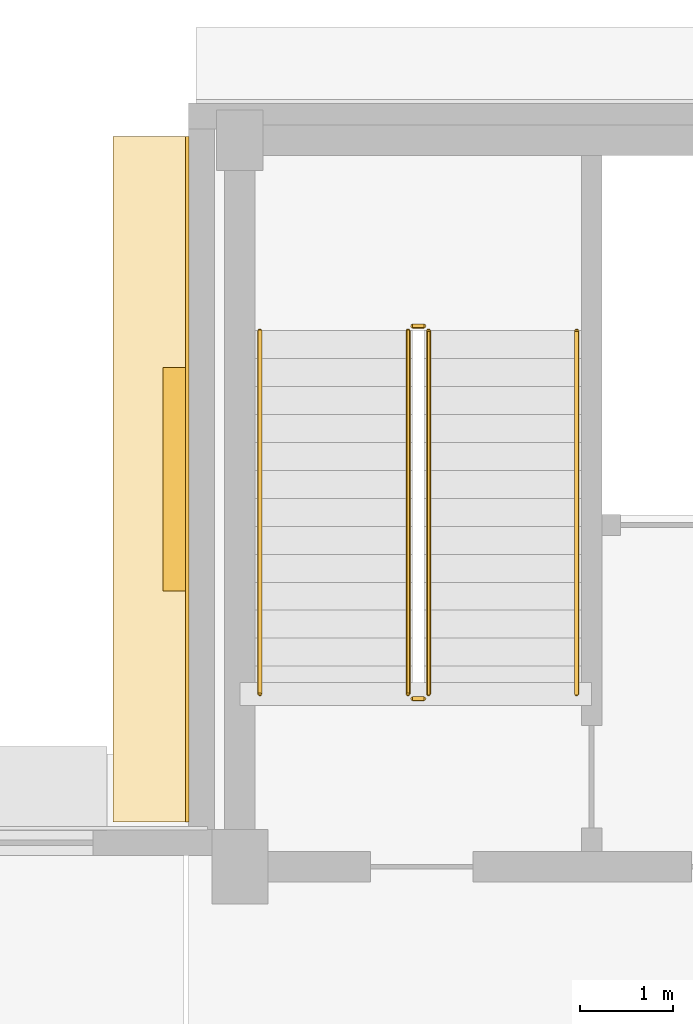
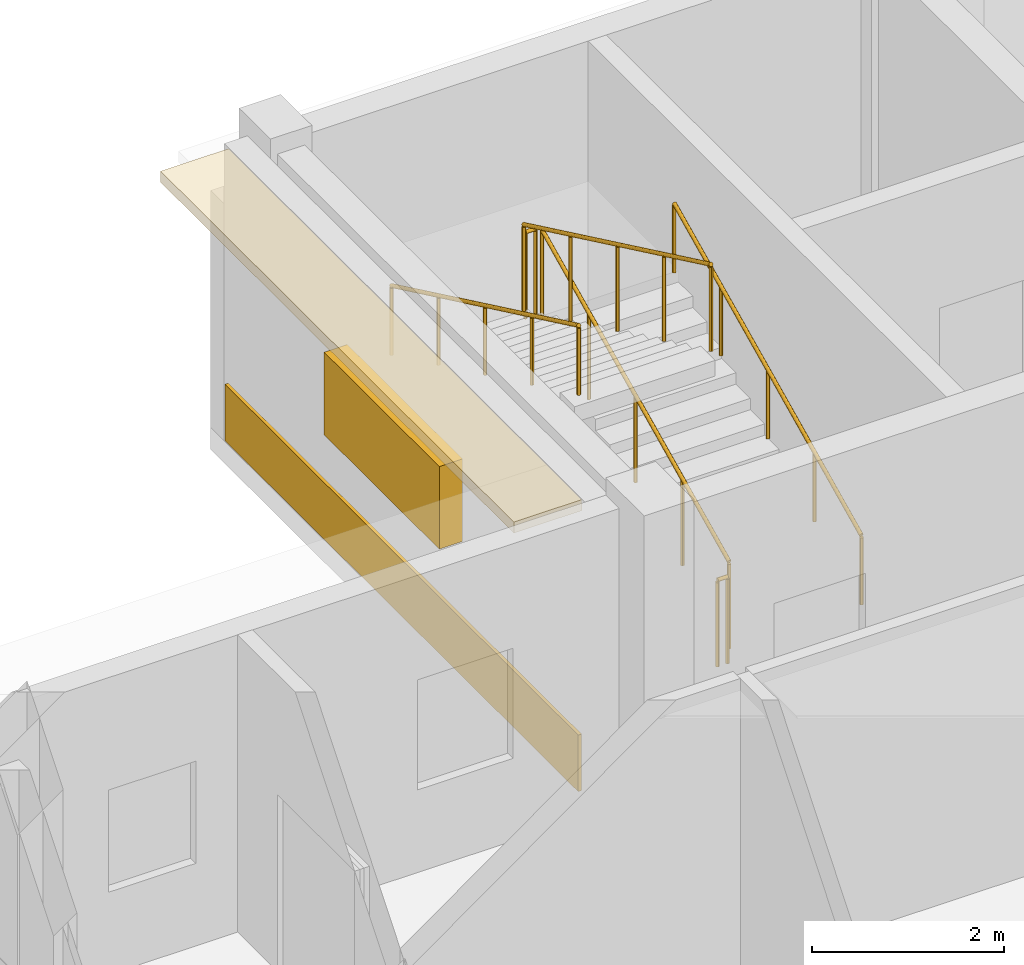
# One storey, part 102 of 105: 6 railings, 2 coverings, 1 shading device.
"""IFC4 building model written with IfcOpenShell, lengths in metres."""

from ifc_helpers import new_model, si_unit, direction, frame, origin, origin_2d, place, context, subcontext, project, spatial, rectangle, circle, extrude, material, layer, layer_set, type_object, element, save


model = new_model("IFC4")

# Units and contexts
model_context = context("Model", 3, precision=1e-05, world=origin(), true_north=direction((0.0, 1.0)))
body_context = subcontext(model_context, "Body", "Model", "MODEL_VIEW")
ifc_project = project(units=[si_unit("LENGTHUNIT", "METRE"), si_unit("AREAUNIT", "SQUARE_METRE"), si_unit("VOLUMEUNIT", "CUBIC_METRE"), si_unit("PLANEANGLEUNIT", "RADIAN"), si_unit("MASSUNIT", "GRAM", prefix="KILO")], contexts=[model_context])

# Site, building, storey
site_placement = place(None, origin())
site = spatial("IfcSite", under=ifc_project, at=site_placement, CompositionType="ELEMENT")
building_placement = place(site_placement, origin())
building = spatial("IfcBuilding", under=site, at=building_placement, Name="Kelanivale Promenade Academy", CompositionType="ELEMENT")
storey_placement = place(building_placement, frame((0.0, 0.0, 4.199951171875)))
storey = spatial("IfcBuildingStorey", under=building, at=storey_placement, Name="L01", CompositionType="ELEMENT", Elevation=4.199951171875)

# Coverings
ifc_material_1 = material(Name="Warm ivory Art Deco stucco frieze band 40 mm", Category="masonry")
ifc_layer_1 = layer(ifc_material_1, 0.0400390625)
ifc_layer_set_1 = layer_set([ifc_layer_1], Name="Warm ivory Art Deco stucco frieze band 40 mm")
covering_type = type_object("IfcCoveringType", Name="COV-CLD2 Warm ivory Art Deco stucco frieze ba", PredefinedType="CLADDING", material=ifc_layer_set_1)
covering_1_placement = place(storey_placement, frame((122.449951171875, 107.9599609375, 3.6201171875), z_axis=(0.0, 0.0, 1.0), x_axis=(0.0, -1.0, 0.0)))
element("IfcCovering", 1, at=covering_1_placement, inside=storey, type_object=covering_type, Name="Art Deco projecting 820 mm streamline sunshade eyebrow ledge", PredefinedType="CLADDING", context=body_context, shape_type="SweptSolid", body=[
    extrude(rectangle(XDim=7.360107421875, YDim=0.820068359375, at=origin_2d()), origin(), (0.0, 0.0, 1.0), 0.139892578125),
])
covering_2_placement = place(storey_placement, frame((122.8349609375, 107.9599609375, 0.06005859375), z_axis=(0.0, 0.0, 1.0), x_axis=(0.0, -1.0, 0.0)))
element("IfcCovering", 2, at=covering_2_placement, inside=storey, type_object=covering_type, Name="Art Deco ivory stucco sill frieze band", PredefinedType="CLADDING", context=body_context, shape_type="SweptSolid", body=[
    extrude(rectangle(XDim=7.360107421875, YDim=0.0400390625, at=origin_2d()), origin(), (0.0, 0.0, 1.0), 0.719970703125),
])

# Railings
ifc_material_2 = material(Name="Brushed stainless steel grade 316", Category="steel")
railing_type_1 = type_object("IfcRailingType", Name="GR-01 Stair Guard 1100mm", PredefinedType="BALUSTRADE", material=ifc_material_2)
railing_1_placement = place(storey_placement, frame((125.425048828125, 105.655029296875, 0.142822265625)))
element("IfcRailing", 3, at=railing_1_placement, inside=storey, type_object=railing_type_1, Name="L01 ST-05 stair guard 1", PredefinedType="BALUSTRADE", context=body_context, shape_type="SweptSolid", body=[
    extrude(circle(Radius=0.02392578125, at=origin_2d()), frame((0.0, 0.0, 1.09619140625), z_axis=(0.0, 0.902853205547, 0.429948937937), x_axis=(-1.0, 0.0, 0.0)), (0.0, 0.0, 1.0), 4.319580078125),
    extrude(circle(Radius=0.02099609375, at=origin_2d()), origin(), (0.0, 0.0, 1.0), 1.072021484375),
    extrude(circle(Radius=0.02099609375, at=origin_2d()), frame((0.0, 0.97509765625, 0.46435546875)), (0.0, 0.0, 1.0), 1.072021484375),
    extrude(circle(Radius=0.02099609375, at=origin_2d()), frame((0.0, 1.949951171875, 0.9287109375)), (0.0, 0.0, 1.0), 1.072021484375),
    extrude(circle(Radius=0.02099609375, at=origin_2d()), frame((0.0, 2.9248046875, 1.392822265625)), (0.0, 0.0, 1.0), 1.072021484375),
    extrude(circle(Radius=0.02099609375, at=origin_2d()), frame((0.0, 3.89990234375, 1.857177734375)), (0.0, 0.0, 1.0), 1.072021484375),
])
railing_2_placement = place(storey_placement, frame((125.375, 109.60498046875, 2.0)))
element("IfcRailing", 4, at=railing_2_placement, inside=storey, type_object=railing_type_1, Name="L01 ST-05 stair guard 2", PredefinedType="BALUSTRADE", context=body_context, shape_type="SweptSolid", body=[
    extrude(circle(Radius=0.02392578125, at=origin_2d()), frame((0.0, 0.0, 1.09619140625), z_axis=(-1.0, 0.0, 0.0), x_axis=(0.0, -1.0, 0.0)), (0.0, 0.0, 1.0), 0.1201171875),
    extrude(circle(Radius=0.02099609375, at=origin_2d()), origin(), (0.0, 0.0, 1.0), 1.072021484375),
    extrude(circle(Radius=0.02099609375, at=origin_2d()), frame((-0.1201171875, 0.0, 0.0)), (0.0, 0.0, 1.0), 1.072021484375),
])
railing_3_placement = place(storey_placement, frame((125.205078125, 109.554931640625, 2.142822265625)))
element("IfcRailing", 5, at=railing_3_placement, inside=storey, type_object=railing_type_1, Name="L01 ST-05 stair guard 3", PredefinedType="BALUSTRADE", context=body_context, shape_type="SweptSolid", body=[
    extrude(circle(Radius=0.02392578125, at=origin_2d()), frame((0.0, 0.0, 1.09619140625), z_axis=(0.0, -0.902853205547, 0.429948937937), x_axis=(1.0, 0.0, 0.0)), (0.0, 0.0, 1.0), 4.319580078125),
    extrude(circle(Radius=0.02099609375, at=origin_2d()), origin(), (0.0, 0.0, 1.0), 1.072021484375),
    extrude(circle(Radius=0.02099609375, at=origin_2d()), frame((0.0, -0.97509765625, 0.46435546875)), (0.0, 0.0, 1.0), 1.072021484375),
    extrude(circle(Radius=0.02099609375, at=origin_2d()), frame((0.0, -1.949951171875, 0.9287109375)), (0.0, 0.0, 1.0), 1.072021484375),
    extrude(circle(Radius=0.02099609375, at=origin_2d()), frame((0.0, -2.9248046875, 1.392822265625)), (0.0, 0.0, 1.0), 1.072021484375),
    extrude(circle(Radius=0.02099609375, at=origin_2d()), frame((0.0, -3.89990234375, 1.857177734375)), (0.0, 0.0, 1.0), 1.072021484375),
])
railing_4_placement = place(storey_placement, frame((125.375, 105.60498046875, 0.0)))
element("IfcRailing", 6, at=railing_4_placement, inside=storey, type_object=railing_type_1, Name="L01 ST-05 stair guard 4", PredefinedType="BALUSTRADE", context=body_context, shape_type="SweptSolid", body=[
    extrude(circle(Radius=0.02392578125, at=origin_2d()), frame((0.0, 0.0, 1.09619140625), z_axis=(-1.0, 0.0, 0.0), x_axis=(0.0, -1.0, 0.0)), (0.0, 0.0, 1.0), 0.1201171875),
    extrude(circle(Radius=0.02099609375, at=origin_2d()), origin(), (0.0, 0.0, 1.0), 1.072021484375),
    extrude(circle(Radius=0.02099609375, at=origin_2d()), frame((-0.1201171875, 0.0, 0.0)), (0.0, 0.0, 1.0), 1.072021484375),
])
railing_type_2 = type_object("IfcRailingType", Name="HR-01 Pitch Handrail 900mm", PredefinedType="HANDRAIL", material=ifc_material_2)
railing_5_placement = place(storey_placement, frame((127.014892578125, 105.655029296875, 0.142822265625)))
element("IfcRailing", 7, at=railing_5_placement, inside=storey, type_object=railing_type_2, Name="L01 ST-05 stair handrail 1", PredefinedType="HANDRAIL", context=body_context, shape_type="SweptSolid", body=[
    extrude(circle(Radius=0.02392578125, at=origin_2d()), frame((0.0, 0.0, 0.8759765625), z_axis=(0.0, 0.902853205547, 0.429948937937), x_axis=(-1.0, 0.0, 0.0)), (0.0, 0.0, 1.0), 4.319580078125),
    extrude(circle(Radius=0.02099609375, at=origin_2d()), origin(), (0.0, 0.0, 1.0), 0.851806640625),
    extrude(circle(Radius=0.02099609375, at=origin_2d()), frame((0.0, 0.97509765625, 0.46435546875)), (0.0, 0.0, 1.0), 0.851806640625),
    extrude(circle(Radius=0.02099609375, at=origin_2d()), frame((0.0, 1.949951171875, 0.9287109375)), (0.0, 0.0, 1.0), 0.851806640625),
    extrude(circle(Radius=0.02099609375, at=origin_2d()), frame((0.0, 2.9248046875, 1.392822265625)), (0.0, 0.0, 1.0), 0.851806640625),
    extrude(circle(Radius=0.02099609375, at=origin_2d()), frame((0.0, 3.89990234375, 1.857177734375)), (0.0, 0.0, 1.0), 0.851806640625),
])
railing_6_placement = place(storey_placement, frame((123.614990234375, 109.554931640625, 2.142822265625)))
element("IfcRailing", 8, at=railing_6_placement, inside=storey, type_object=railing_type_2, Name="L01 ST-05 stair handrail 2", PredefinedType="HANDRAIL", context=body_context, shape_type="SweptSolid", body=[
    extrude(circle(Radius=0.02392578125, at=origin_2d()), frame((0.0, 0.0, 0.8759765625), z_axis=(0.0, -0.902853205547, 0.429948937937), x_axis=(1.0, 0.0, 0.0)), (0.0, 0.0, 1.0), 4.319580078125),
    extrude(circle(Radius=0.02099609375, at=origin_2d()), origin(), (0.0, 0.0, 1.0), 0.851806640625),
    extrude(circle(Radius=0.02099609375, at=origin_2d()), frame((0.0, -0.97509765625, 0.46435546875)), (0.0, 0.0, 1.0), 0.851806640625),
    extrude(circle(Radius=0.02099609375, at=origin_2d()), frame((0.0, -1.949951171875, 0.9287109375)), (0.0, 0.0, 1.0), 0.851806640625),
    extrude(circle(Radius=0.02099609375, at=origin_2d()), frame((0.0, -2.9248046875, 1.392822265625)), (0.0, 0.0, 1.0), 0.851806640625),
    extrude(circle(Radius=0.02099609375, at=origin_2d()), frame((0.0, -3.89990234375, 1.857177734375)), (0.0, 0.0, 1.0), 0.851806640625),
])

# Shading device
ifc_material_3 = material(Name="Bronze anodised aluminium EN AW-6063 T6", Category="aluminium")
ifc_layer_2 = layer(ifc_material_3, 0.080078125)
ifc_layer_set_2 = layer_set([ifc_layer_2], Name="Bronze anodised aluminium EN AW-6063 T6")
shading_device_type = type_object("IfcShadingDeviceType", Name="SHD-02 Perforated Brise-Soleil Screen", PredefinedType="JALOUSIE", material=ifc_layer_set_2)
shading_device_placement = place(storey_placement, frame((122.715087890625, 107.9599609375, 1.72509765625), z_axis=(0.0, 0.0, 1.0), x_axis=(0.0, -1.0, 0.0)))
element("IfcShadingDevice", 9, at=shading_device_placement, inside=storey, type_object=shading_device_type, Name="Perforated Art Deco brise-soleil louvre screen", PredefinedType="JALOUSIE", context=body_context, shape_type="SweptSolid", body=[
    extrude(rectangle(XDim=2.39990234375, YDim=0.280029296875, at=origin_2d()), origin(), (0.0, 0.0, 1.0), 1.050048828125),
])

save(model, "model.ifc")
